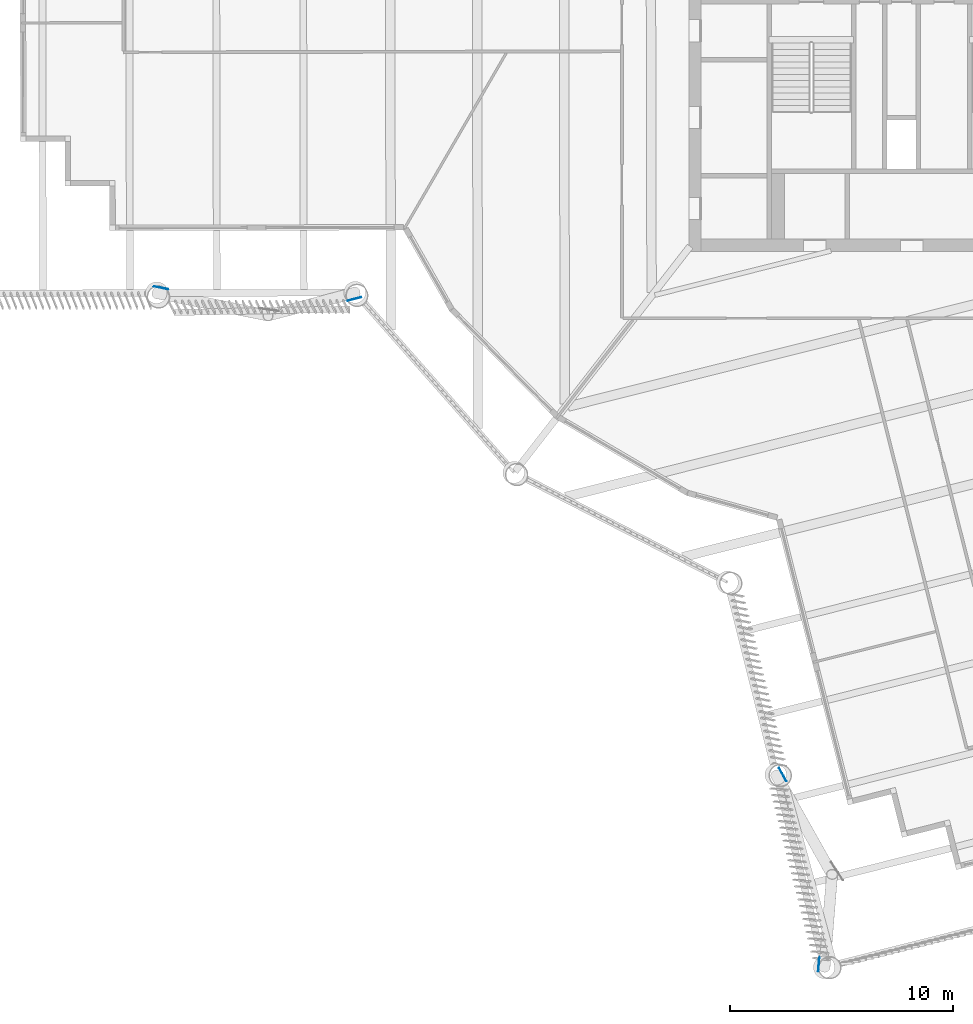
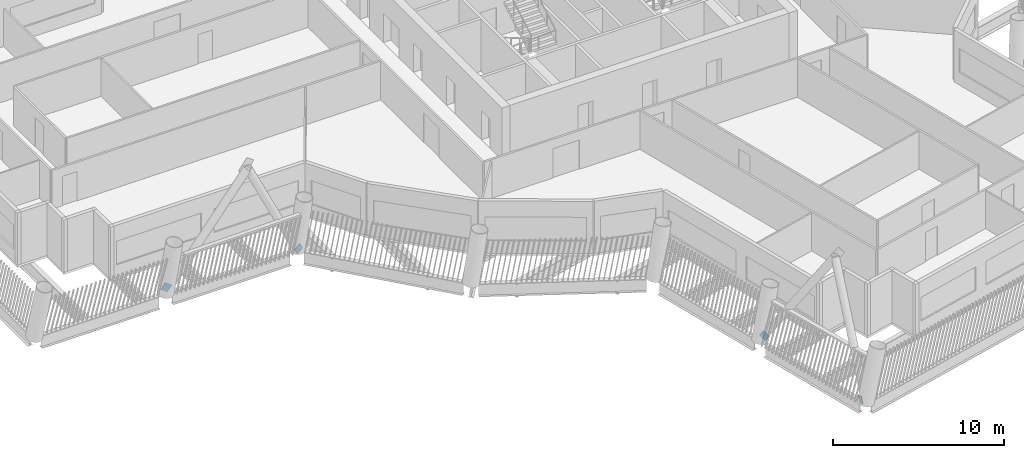
# One storey, part 11 of 22: 4 discrete accessories.
"""IFC4 building model written with IfcOpenShell, lengths in metres."""

import ifcopenshell
import ifcopenshell.guid

model = None  # the IFC model being written
_history = None  # IfcOwnerHistory: only IFC2X3 demands one
_inside = {}  # id of a spatial element -> (the spatial element, [elements in it])
_under = {}  # id of a project, library or spatial element -> (it, [spatial elements below it])
_declared = {}  # id of a project -> (the project, [libraries it declares])
_typed = {}  # id of a type object -> (the type object, [elements of that type])
_made_of = {}  # id of a material, layer set ... -> (it, [elements and type objects made of it])


def new_model(schema):
    """Start an empty IFC model of exactly this schema.

    Asked for "IFC4X3", IfcOpenShell would pick the latest addendum, in which some entities
    have other attributes; the version numbers below select the first issue.
    IFC2X3 requires an IfcOwnerHistory on every rooted entity: one is made here for all.
    """
    global model, _history
    if schema == "IFC4X3":
        model = ifcopenshell.file(schema_version=(4, 3, 0, 0))
    else:
        model = ifcopenshell.file(schema=schema)
    _inside.clear()
    _under.clear()
    _declared.clear()
    _typed.clear()
    _made_of.clear()
    _history = None
    if model.schema == "IFC2X3":
        org = make("IfcOrganization", Name="unknown")
        user = make(
            "IfcPersonAndOrganization",
            ThePerson=make("IfcPerson", FamilyName="unknown"),
            TheOrganization=org,
        )
        app = make(
            "IfcApplication",
            ApplicationDeveloper=org,
            Version="unknown",
            ApplicationFullName="unknown",
            ApplicationIdentifier="unknown",
        )
        _history = make(
            "IfcOwnerHistory",
            OwningUser=user,
            OwningApplication=app,
            ChangeAction="ADDED",
            CreationDate=0,
        )
    return model


def make(cls, **values):
    """One entity of the class cls with the attributes given. An attribute that is None is left unset."""
    return model.create_entity(
        cls, **{name: value for name, value in values.items() if value is not None}
    )


def rooted(cls, **values):
    """An entity with a GlobalId (a new one), such as an element, a storey or a relation."""
    return make(cls, GlobalId=ifcopenshell.guid.new(), OwnerHistory=_history, **values)


def si_unit(unit_type, name, prefix=None):
    """IfcSIUnit, for example si_unit("LENGTHUNIT", "METRE", prefix="MILLI")."""
    return make("IfcSIUnit", UnitType=unit_type, Prefix=prefix, Name=name)


def assignment(units):
    """IfcUnitAssignment: the units of a project."""
    return None if units is None else make("IfcUnitAssignment", Units=units)


def point(xyz):
    """IfcCartesianPoint."""
    return None if xyz is None else make("IfcCartesianPoint", Coordinates=xyz)


def direction(xyz):
    """IfcDirection."""
    return None if xyz is None else make("IfcDirection", DirectionRatios=xyz)


def frame(location, z_axis=None, x_axis=None):
    """IfcAxis2Placement3D, a coordinate frame: its origin and axes. An axis left out is left unset."""
    return make(
        "IfcAxis2Placement3D",
        Location=point(location),
        Axis=direction(z_axis),
        RefDirection=direction(x_axis),
    )


def frame_2d(location, x_axis=None):
    """IfcAxis2Placement2D, a coordinate frame in the plane: its origin and x axis."""
    return make(
        "IfcAxis2Placement2D", Location=point(location), RefDirection=direction(x_axis)
    )


def origin():
    """The frame at (0, 0, 0) with its axes left unset."""
    return frame((0.0, 0.0, 0.0))


def origin_2d():
    """The frame at (0, 0) in the plane with its x axis left unset."""
    return frame_2d((0.0, 0.0))


def place(relative_to, where):
    """IfcLocalPlacement: puts the frame where relative to a parent placement (None: the world)."""
    return make(
        "IfcLocalPlacement", PlacementRelTo=relative_to, RelativePlacement=where
    )


def context(
    kind, dimensions, precision=None, world=None, true_north=None, identifier=None
):
    """IfcGeometricRepresentationContext, for example the 3D "Model" context."""
    return make(
        "IfcGeometricRepresentationContext",
        ContextIdentifier=identifier,
        ContextType=kind,
        CoordinateSpaceDimension=dimensions,
        Precision=precision,
        WorldCoordinateSystem=world,
        TrueNorth=true_north,
    )


def subcontext(parent, identifier, kind, view, scale=None):
    """IfcGeometricRepresentationSubContext, for example "Body" below "Model"."""
    return make(
        "IfcGeometricRepresentationSubContext",
        ContextIdentifier=identifier,
        ContextType=kind,
        ParentContext=parent,
        TargetScale=scale,
        TargetView=view,
    )


def project(units=None, contexts=None):
    """IfcProject with its units and contexts."""
    return rooted(
        "IfcProject",
        Name="project",
        RepresentationContexts=contexts,
        UnitsInContext=assignment(units),
    )


def spatial(cls, under=None, at=None, **own):
    """A site, building, storey or space (cls), placed at a placement, below another one or the project."""
    s = rooted(cls, ObjectPlacement=at, **own)
    if under is not None:
        _under.setdefault(under.id(), (under, []))[1].append(s)
    return s


def profile(cls, at=None, kind="AREA", **sizes):
    """A parametric profile (cls). Its sizes go by their IFC names, for example OverallWidth=200.0."""
    return make(cls, ProfileType=kind, Position=at, **sizes)


def rectangle(**sizes):
    """IfcRectangleProfileDef."""
    return profile("IfcRectangleProfileDef", **sizes)


def extrude(swept, where, along, depth):
    """IfcExtrudedAreaSolid: the profile swept, set in the frame where, extruded along a direction by depth."""
    return make(
        "IfcExtrudedAreaSolid",
        SweptArea=swept,
        Position=where,
        ExtrudedDirection=direction(along),
        Depth=depth,
    )


def shape(context_of_items, identifier, shape_type, items):
    """IfcShapeRepresentation: the items that make up one representation, for example the "Body"."""
    return make(
        "IfcShapeRepresentation",
        ContextOfItems=context_of_items,
        RepresentationIdentifier=identifier,
        RepresentationType=shape_type,
        Items=items,
    )


def material(Name=None, Category=None):
    """IfcMaterial."""
    return make("IfcMaterial", Name=Name, Category=Category)


def material_profile(
    of_material, cross_section, Name=None, Category=None, Priority=None
):
    """IfcMaterialProfile: a cross section and its material."""
    return make(
        "IfcMaterialProfile",
        Name=Name,
        Material=of_material,
        Profile=cross_section,
        Priority=Priority,
        Category=Category,
    )


def profile_set(profiles, Name=None, composite=None):
    """IfcMaterialProfileSet."""
    return make(
        "IfcMaterialProfileSet",
        Name=Name,
        MaterialProfiles=profiles,
        CompositeProfile=composite,
    )


def made_of(thing, what):
    """Note that an element or type object is made of a material, layer set ...; save() writes the relation."""
    if what is not None:
        _made_of.setdefault(what.id(), (what, []))[1].append(thing)
    return thing


def type_object(cls, material=None, **own):
    """A type object (cls), such as IfcWallType, which elements share."""
    return made_of(rooted(cls, **own), material)


def element(
    cls,
    number,
    at=None,
    inside=None,
    cuts=None,
    type_object=None,
    material=None,
    context=None,
    identifier="Body",
    shape_type=None,
    held_by="IfcProductDefinitionShape",
    body=None,
    shapes=None,
    **own,
):
    """One element of the class cls, such as IfcWall. Its Tag is "e" and its number.

    at: its placement. inside: the storey or other place that contains it. cuts: it is an
    opening in that element (IfcRelVoidsElement). A single representation is given by context,
    identifier, shape_type and body (its items); several are given by shapes. held_by: the class
    of the entity that holds the representations. save() writes the other relations.
    """
    e = rooted(cls, Tag="e%d" % number, ObjectPlacement=at, **own)
    if body is not None:
        shapes = [shape(context, identifier, shape_type, body)]
    if shapes is not None:
        e.Representation = make(held_by, Representations=shapes)
    if inside is not None:
        _inside.setdefault(inside.id(), (inside, []))[1].append(e)
    if cuts is not None:
        rooted(
            "IfcRelVoidsElement", RelatingBuildingElement=cuts, RelatedOpeningElement=e
        )
    if type_object is not None:
        _typed.setdefault(type_object.id(), (type_object, []))[1].append(e)
    return made_of(e, material)


def aggregate(whole, parts):
    """IfcRelAggregates: a whole, such as a stair, and the parts it consists of."""
    return rooted("IfcRelAggregates", RelatingObject=whole, RelatedObjects=parts)


def save(model, path):
    """Write the relations noted so far, then the file.

    IfcRelAggregates (storeys below a building ...), IfcRelContainedInSpatialStructure (elements
    in a storey), IfcRelDefinesByType, IfcRelAssociatesMaterial and IfcRelDeclares: one each for
    every whole, place, type object, material and project.
    """
    for whole, parts in _under.values():
        aggregate(whole, parts)
    for where, things in _inside.values():
        rooted(
            "IfcRelContainedInSpatialStructure",
            RelatedElements=things,
            RelatingStructure=where,
        )
    for kind, things in _typed.values():
        rooted("IfcRelDefinesByType", RelatedObjects=things, RelatingType=kind)
    for what, things in _made_of.values():
        rooted("IfcRelAssociatesMaterial", RelatedObjects=things, RelatingMaterial=what)
    for by, libraries in _declared.values():
        rooted("IfcRelDeclares", RelatingContext=by, RelatedDefinitions=libraries)
    model.write(path)


model = new_model("IFC4")

# Units and contexts
model_context = context("Model", 3, precision=1e-05, world=origin(), true_north=direction((0.0, 1.0)))
body_context = subcontext(model_context, "Body", "Model", "MODEL_VIEW")
ifc_project = project(units=[si_unit("LENGTHUNIT", "METRE"), si_unit("AREAUNIT", "SQUARE_METRE"), si_unit("VOLUMEUNIT", "CUBIC_METRE"), si_unit("PLANEANGLEUNIT", "RADIAN"), si_unit("MASSUNIT", "GRAM", prefix="KILO")], contexts=[model_context])

# Site, building, storey
site_placement = place(None, origin())
site = spatial("IfcSite", under=ifc_project, at=site_placement, CompositionType="ELEMENT")
building_placement = place(site_placement, origin())
building = spatial("IfcBuilding", under=site, at=building_placement, Name="Tarsis Ring Headquarters", CompositionType="ELEMENT")
storey_placement = place(building_placement, frame((0.0, 0.0, 286.39990234375)))
storey = spatial("IfcBuildingStorey", under=building, at=storey_placement, Name="L67", CompositionType="ELEMENT", Elevation=286.39990234375)

# Discrete accessories
ifc_material = material(Name="Structural steel S355", Category="steel")
ifc_material_profile = material_profile(ifc_material, rectangle(XDim=0.02490234375, YDim=0.5, at=origin_2d()), Name="PL 25x500")
ifc_profile_set = profile_set([ifc_material_profile], Name="Structural steel S355")
discrete_accessory_type = type_object("IfcDiscreteAccessoryType", Name="Gusset plate Exo brace 25", PredefinedType="BRACKET", material=ifc_profile_set)
for number, where, z_axis, x_axis, name in (
    (1, (-5.85107421875, -36.353515625, 0.0), (0.269022412684, -0.478479064302, 0.835873630699), (0.871670537226, 0.490092312256, 0.0), "Gusset plate GP5"),
    (2, (-4.17724609375, -45.095703125, 0.0), (0.038568761601, 0.471124746142, 0.881222970763), (-0.996665787461, 0.081592328714, 0.0), "Gusset plate GP5"),
):
    element("IfcDiscreteAccessory", number, at=place(storey_placement, frame(where, z_axis=z_axis, x_axis=x_axis)), inside=storey, type_object=discrete_accessory_type, Name=name, PredefinedType="BRACKET", context=body_context, shape_type="SweptSolid", body=[
        extrude(rectangle(XDim=0.02490234375, YDim=0.5, at=origin_2d()), origin(), (0.0, 0.0, 1.0), 0.5),
    ])
discrete_accessory_1_placement = place(storey_placement, frame((-33.81396484375, -14.60986328125, 0.0), z_axis=(0.535478460916, -0.107876699966, 0.837630846793), x_axis=(0.19749074745, 0.980304750918, 0.0)))
element("IfcDiscreteAccessory", 3, at=discrete_accessory_1_placement, inside=storey, type_object=discrete_accessory_type, Name="Gusset plate GP5", PredefinedType="BRACKET", context=body_context, shape_type="SweptSolid", body=[
    extrude(rectangle(XDim=0.02490234375, YDim=0.5, at=origin_2d()), origin(), (0.0, 0.0, 1.0), 0.500244140625),
])
discrete_accessory_2_placement = place(storey_placement, frame((-24.89697265625, -15.110107421875, 0.0), z_axis=(-0.445329222839, -0.116703601161, 0.887728648159), x_axis=(0.2535011875, -0.967335075316, 0.0)))
element("IfcDiscreteAccessory", 4, at=discrete_accessory_2_placement, inside=storey, type_object=discrete_accessory_type, Name="Gusset plate GP5", PredefinedType="BRACKET", context=body_context, shape_type="SweptSolid", body=[
    extrude(rectangle(XDim=0.02490234375, YDim=0.5, at=origin_2d()), origin(), (0.0, 0.0, 1.0), 0.5),
])

save(model, "model.ifc")
